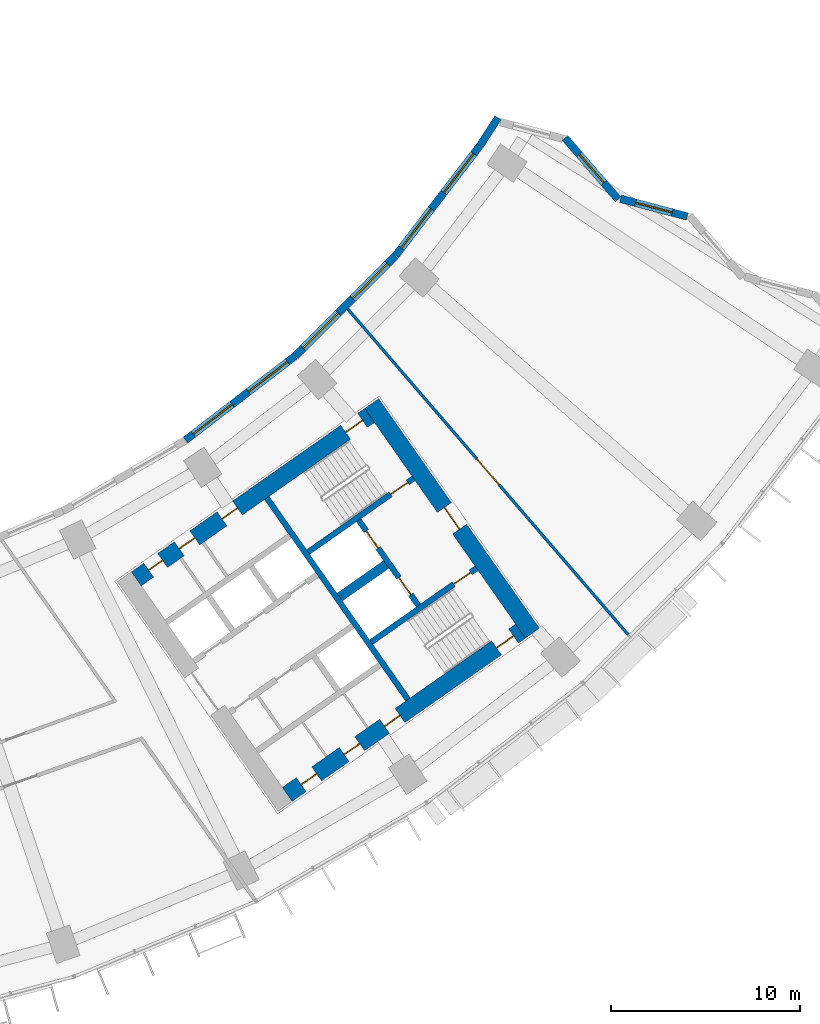
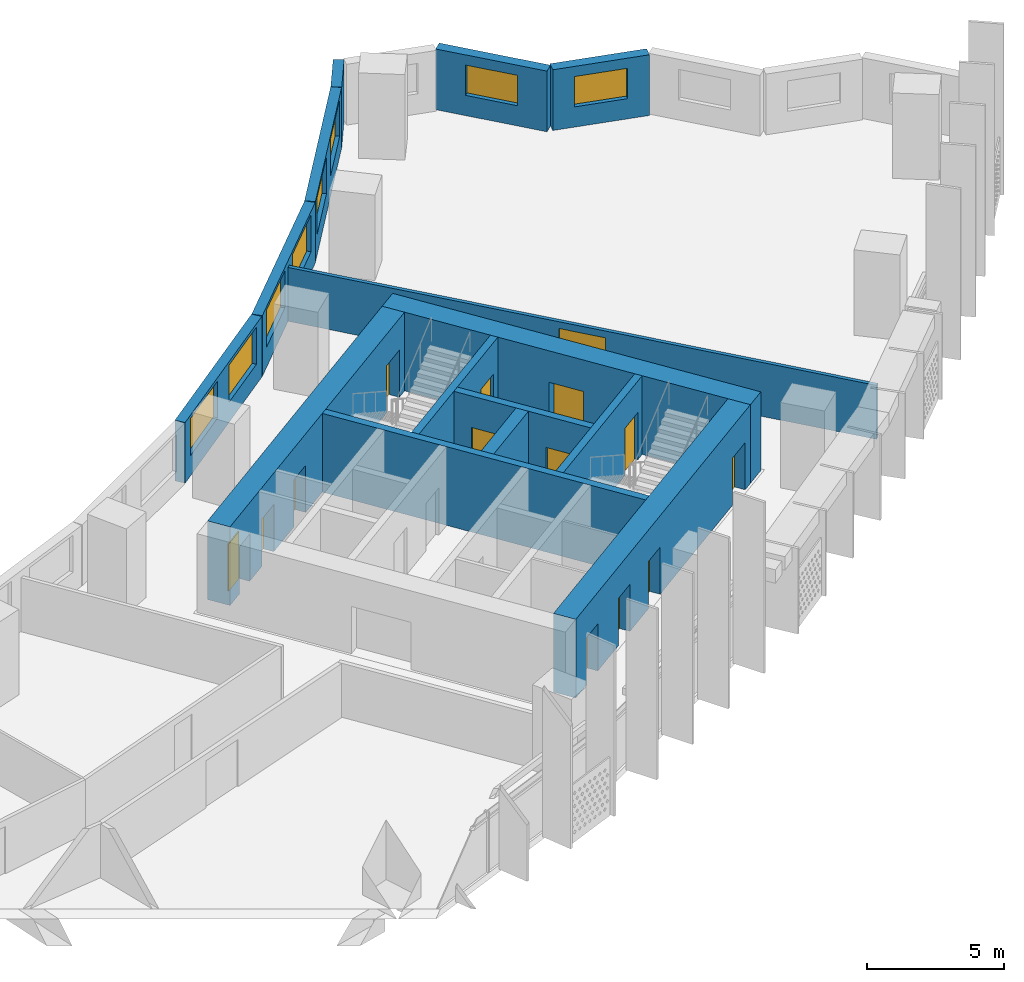
# One storey, part 7 of 31: 15 walls, 14 doors, 8 windows, 22 openings.
"""IFC4 building model written with IfcOpenShell, lengths in metres."""

from ifc_helpers import new_model, si_unit, direction, frame, frame_2d, origin, place, context, subcontext, project, spatial, rectangle, extrude, material, layer, layer_set, type_object, element, fill, save


model = new_model("IFC4")

# Units and contexts
model_context = context("Model", 3, precision=1e-05, world=origin(), true_north=direction((0.0, 1.0)))
body_context = subcontext(model_context, "Body", "Model", "MODEL_VIEW")
ifc_project = project(units=[si_unit("LENGTHUNIT", "METRE"), si_unit("AREAUNIT", "SQUARE_METRE"), si_unit("VOLUMEUNIT", "CUBIC_METRE"), si_unit("PLANEANGLEUNIT", "RADIAN"), si_unit("MASSUNIT", "GRAM", prefix="KILO")], contexts=[model_context])

# Site, building, storey
site_placement = place(None, origin())
site = spatial("IfcSite", under=ifc_project, at=site_placement, CompositionType="ELEMENT")
building_placement = place(site_placement, origin())
building = spatial("IfcBuilding", under=site, at=building_placement, Name="Qamariyya Broadcast Tower", CompositionType="ELEMENT")
storey_placement = place(building_placement, frame((0.0, 0.0, 55.699951171875)))
storey = spatial("IfcBuildingStorey", under=building, at=storey_placement, Name="L10", CompositionType="ELEMENT", Elevation=55.699951171875)

# Wall, opening, door
ifc_material_1 = material(Name="Concrete C70/85", Category="concrete")
ifc_layer_1 = layer(ifc_material_1, 0.89990234375)
ifc_layer_set_1 = layer_set([ifc_layer_1], Name="Core wall 900 mm Concrete C70/85")
wall_type_1 = type_object("IfcWallType", Name="Core wall 900 mm Concrete C70/85", PredefinedType="SHEAR", material=ifc_layer_set_1)
wall_1_placement = place(storey_placement, frame((49.778564453125, -57.191162109375, 0.0), z_axis=(0.0, 0.0, 1.0), x_axis=(-0.573577477574, 0.819151315216, 0.0)))
wall_1 = element("IfcWall", 1, at=wall_1_placement, inside=storey, type_object=wall_type_1, Name="k-E-L10-WH", PredefinedType="SHEAR", context=body_context, shape_type="SweptSolid", body=[
    extrude(rectangle(XDim=14.800048828125, YDim=0.89990234375, at=frame_2d((7.39990234375, 0.0))), origin(), (0.0, 0.0, 1.0), 3.5),
])
opening_1_placement = place(wall_1_placement, frame((6.699951171875, 0.0, 0.0)))
opening_1 = element("IfcOpeningElement", 2, at=opening_1_placement, cuts=wall_1, Name="Opening KD2-E1", PredefinedType="OPENING", context=body_context, shape_type="SweptSolid", body=[
    extrude(rectangle(XDim=1.39990234375, YDim=2.10009765625, at=frame_2d((0.699951171875, 1.050048828125))), frame((0.0, 0.4599609375, 0.0), z_axis=(0.0, -1.0, 0.0), x_axis=(1.0, 0.0, 0.0)), (0.0, 0.0, 1.0), 0.919921875),
])
ifc_material_2 = material(Name="Steel fire-resisting door leaf", Category="steel")
door_type_1 = type_object("IfcDoorType", Name="Fire-fighting lobby door KD2", OperationType="DOUBLE_DOOR_SINGLE_SWING", PredefinedType="DOOR", material=ifc_material_2)
door_1_placement = place(opening_1_placement, origin())
door_1 = element("IfcDoor", 3, at=door_1_placement, inside=storey, type_object=door_type_1, Name="k-E-L10-WH-D15", OperationType="DOUBLE_DOOR_SINGLE_SWING", OverallHeight=2.10009765625, OverallWidth=1.39990234375, PredefinedType="DOOR", context=body_context, shape_type="SweptSolid", body=[
    extrude(rectangle(XDim=1.39990234375, YDim=2.10009765625, at=frame_2d((0.699951171875, 1.050048828125))), frame((0.0, 0.02490234375, 0.0), z_axis=(0.0, -1.0, 0.0), x_axis=(1.0, 0.0, 0.0)), (0.0, 0.0, 1.0), 0.050048828125),
])
fill(opening_1, door_1)

# Wall, openings, doors
wall_2_placement = place(storey_placement, frame((28.8544921875, -54.32421875, 0.0), z_axis=(0.0, 0.0, 1.0), x_axis=(0.819145767589, 0.573585400304, 0.0)))
wall_2 = element("IfcWall", 4, at=wall_2_placement, inside=storey, type_object=wall_type_1, Name="k-E-L10-WI", PredefinedType="SHEAR", context=body_context, shape_type="SweptSolid", body=[
    extrude(rectangle(XDim=15.04541015625, YDim=0.89990234375, at=frame_2d((7.522705078125, 0.0))), origin(), (0.0, 0.0, 1.0), 3.5),
])
opening_2_placement = place(wall_2_placement, frame((0.800048828125, 0.0, 0.0)))
opening_2 = element("IfcOpeningElement", 5, at=opening_2_placement, cuts=wall_2, Name="Opening KD5-E1", PredefinedType="OPENING", context=body_context, shape_type="SweptSolid", body=[
    extrude(rectangle(XDim=0.89990234375, YDim=2.10009765625, at=frame_2d((0.449951171875, 1.050048828125))), frame((0.0, 0.4599609375, 0.0), z_axis=(0.0, -1.0, 0.0), x_axis=(1.0, 0.0, 0.0)), (0.0, 0.0, 1.0), 0.919921875),
])
opening_3_placement = place(wall_2_placement, frame((2.77490234375, 0.0, 0.0)))
opening_3 = element("IfcOpeningElement", 6, at=opening_3_placement, cuts=wall_2, Name="Opening KD7-E1", PredefinedType="OPENING", context=body_context, shape_type="SweptSolid", body=[
    extrude(rectangle(XDim=1.0, YDim=2.10009765625, at=frame_2d((0.5, 1.050048828125))), frame((0.0, 0.4599609375, 0.0), z_axis=(0.0, -1.0, 0.0), x_axis=(1.0, 0.0, 0.0)), (0.0, 0.0, 1.0), 0.919921875),
])
opening_4_placement = place(wall_2_placement, frame((5.52490234375, 0.0, 0.0)))
opening_4 = element("IfcOpeningElement", 7, at=opening_4_placement, cuts=wall_2, Name="Opening KD6-E2", PredefinedType="OPENING", context=body_context, shape_type="SweptSolid", body=[
    extrude(rectangle(XDim=1.0, YDim=2.10009765625, at=frame_2d((0.5, 1.050048828125))), frame((0.0, 0.4599609375, 0.0), z_axis=(0.0, -1.0, 0.0), x_axis=(1.0, 0.0, 0.0)), (0.0, 0.0, 1.0), 0.919921875),
])
opening_5_placement = place(wall_2_placement, frame((13.495361328125, 0.0, 0.0)))
opening_5 = element("IfcOpeningElement", 8, at=opening_5_placement, cuts=wall_2, Name="Opening KD1-E1", PredefinedType="OPENING", context=body_context, shape_type="SweptSolid", body=[
    extrude(rectangle(XDim=1.10009765625, YDim=2.10009765625, at=frame_2d((0.550048828125, 1.050048828125))), frame((0.0, 0.4599609375, 0.0), z_axis=(0.0, -1.0, 0.0), x_axis=(1.0, 0.0, 0.0)), (0.0, 0.0, 1.0), 0.919921875),
])
door_type_2 = type_object("IfcDoorType", Name="Accessible toilet door KD7", OperationType="SINGLE_SWING_LEFT", PredefinedType="DOOR", material=ifc_material_2)
door_2_placement = place(opening_3_placement, origin())
door_2 = element("IfcDoor", 9, at=door_2_placement, inside=storey, type_object=door_type_2, Name="k-E-L10-WI-D8", OperationType="SINGLE_SWING_RIGHT", OverallHeight=2.10009765625, OverallWidth=1.0, PredefinedType="DOOR", context=body_context, shape_type="SweptSolid", body=[
    extrude(rectangle(XDim=1.0, YDim=2.10009765625, at=frame_2d((0.5, 1.050048828125))), frame((0.0, 0.02490234375, 0.0), z_axis=(0.0, -1.0, 0.0), x_axis=(1.0, 0.0, 0.0)), (0.0, 0.0, 1.0), 0.050048828125),
])
fill(opening_3, door_2)
door_type_3 = type_object("IfcDoorType", Name="Core room door KD6", OperationType="SINGLE_SWING_LEFT", PredefinedType="DOOR", material=ifc_material_2)
door_3_placement = place(opening_4_placement, origin())
door_3 = element("IfcDoor", 10, at=door_3_placement, inside=storey, type_object=door_type_3, Name="k-E-L10-WI-D9", OperationType="SINGLE_SWING_LEFT", OverallHeight=2.10009765625, OverallWidth=1.0, PredefinedType="DOOR", context=body_context, shape_type="SweptSolid", body=[
    extrude(rectangle(XDim=1.0, YDim=2.10009765625, at=frame_2d((0.5, 1.050048828125))), frame((0.0, 0.02490234375, 0.0), z_axis=(0.0, -1.0, 0.0), x_axis=(1.0, 0.0, 0.0)), (0.0, 0.0, 1.0), 0.050048828125),
])
fill(opening_4, door_3)
door_type_4 = type_object("IfcDoorType", Name="Stair door KD1", OperationType="SINGLE_SWING_LEFT", PredefinedType="DOOR", material=ifc_material_2)
door_4_placement = place(opening_5_placement, origin())
door_4 = element("IfcDoor", 11, at=door_4_placement, inside=storey, type_object=door_type_4, Name="k-E-L10-WI-D16", OperationType="SINGLE_SWING_RIGHT", OverallHeight=2.10009765625, OverallWidth=1.10009765625, PredefinedType="DOOR", context=body_context, shape_type="SweptSolid", body=[
    extrude(rectangle(XDim=1.10009765625, YDim=2.10009765625, at=frame_2d((0.550048828125, 1.050048828125))), frame((0.0, 0.02490234375, 0.0), z_axis=(0.0, -1.0, 0.0), x_axis=(1.0, 0.0, 0.0)), (0.0, 0.0, 1.0), 0.050048828125),
])
fill(opening_5, door_4)
door_type_5 = type_object("IfcDoorType", Name="Toilet door KD5", OperationType="SINGLE_SWING_LEFT", PredefinedType="DOOR", material=ifc_material_2)
door_5_placement = place(opening_2_placement, origin())
door_5 = element("IfcDoor", 12, at=door_5_placement, inside=storey, type_object=door_type_5, Name="k-E-L10-WI-D7", OperationType="SINGLE_SWING_LEFT", OverallHeight=2.10009765625, OverallWidth=0.89990234375, PredefinedType="DOOR", context=body_context, shape_type="SweptSolid", body=[
    extrude(rectangle(XDim=0.89990234375, YDim=2.10009765625, at=frame_2d((0.449951171875, 1.050048828125))), frame((0.0, 0.02490234375, 0.0), z_axis=(0.0, -1.0, 0.0), x_axis=(1.0, 0.0, 0.0)), (0.0, 0.0, 1.0), 0.050048828125),
])
fill(opening_2, door_5)

wall_3_placement = place(storey_placement, frame((36.827392578125, -65.710205078125, 0.0), z_axis=(0.0, 0.0, 1.0), x_axis=(0.819153391756, 0.573574511963, 0.0)))
wall_3 = element("IfcWall", 13, at=wall_3_placement, inside=storey, type_object=wall_type_1, Name="k-E-L10-WO", PredefinedType="SHEAR", context=body_context, shape_type="SweptSolid", body=[
    extrude(rectangle(XDim=15.04541015625, YDim=0.89990234375, at=frame_2d((7.522705078125, 0.0))), origin(), (0.0, 0.0, 1.0), 3.5),
])
opening_6_placement = place(wall_3_placement, frame((0.89990234375, 0.0, 0.0)))
opening_6 = element("IfcOpeningElement", 14, at=opening_6_placement, cuts=wall_3, Name="Opening KD4-E2", PredefinedType="OPENING", context=body_context, shape_type="SweptSolid", body=[
    extrude(rectangle(XDim=1.0, YDim=2.10009765625, at=frame_2d((0.5, 1.050048828125))), frame((0.0, 0.4599609375, 0.0), z_axis=(0.0, -1.0, 0.0), x_axis=(1.0, 0.0, 0.0)), (0.0, 0.0, 1.0), 0.919921875),
])
opening_7_placement = place(wall_3_placement, frame((3.675048828125, 0.0, 0.0)))
opening_7 = element("IfcOpeningElement", 15, at=opening_7_placement, cuts=wall_3, Name="Opening KD4-E3", PredefinedType="OPENING", context=body_context, shape_type="SweptSolid", body=[
    extrude(rectangle(XDim=1.0, YDim=2.10009765625, at=frame_2d((0.5, 1.050048828125))), frame((0.0, 0.4599609375, 0.0), z_axis=(0.0, -1.0, 0.0), x_axis=(1.0, 0.0, 0.0)), (0.0, 0.0, 1.0), 0.919921875),
])
opening_8_placement = place(wall_3_placement, frame((6.27490234375, 0.0, 0.0)))
opening_8 = element("IfcOpeningElement", 16, at=opening_8_placement, cuts=wall_3, Name="Opening KD4-E4", PredefinedType="OPENING", context=body_context, shape_type="SweptSolid", body=[
    extrude(rectangle(XDim=1.0, YDim=2.10009765625, at=frame_2d((0.5, 1.050048828125))), frame((0.0, 0.4599609375, 0.0), z_axis=(0.0, -1.0, 0.0), x_axis=(1.0, 0.0, 0.0)), (0.0, 0.0, 1.0), 0.919921875),
])
opening_9_placement = place(wall_3_placement, frame((13.495361328125, 0.0, 0.0)))
opening_9 = element("IfcOpeningElement", 17, at=opening_9_placement, cuts=wall_3, Name="Opening KD1-E3", PredefinedType="OPENING", context=body_context, shape_type="SweptSolid", body=[
    extrude(rectangle(XDim=1.10009765625, YDim=2.10009765625, at=frame_2d((0.550048828125, 1.050048828125))), frame((0.0, 0.4599609375, 0.0), z_axis=(0.0, -1.0, 0.0), x_axis=(1.0, 0.0, 0.0)), (0.0, 0.0, 1.0), 0.919921875),
])
door_type_6 = type_object("IfcDoorType", Name="Riser and plant door KD4", OperationType="SINGLE_SWING_LEFT", PredefinedType="DOOR", material=ifc_material_2)
door_6_placement = place(opening_6_placement, origin())
door_6 = element("IfcDoor", 18, at=door_6_placement, inside=storey, type_object=door_type_6, Name="k-E-L10-WO-D10", OperationType="SINGLE_SWING_RIGHT", OverallHeight=2.10009765625, OverallWidth=1.0, PredefinedType="DOOR", context=body_context, shape_type="SweptSolid", body=[
    extrude(rectangle(XDim=1.0, YDim=2.10009765625, at=frame_2d((0.5, 1.050048828125))), frame((0.0, 0.02490234375, 0.0), z_axis=(0.0, -1.0, 0.0), x_axis=(1.0, 0.0, 0.0)), (0.0, 0.0, 1.0), 0.050048828125),
])
fill(opening_6, door_6)
door_7_placement = place(opening_7_placement, origin())
door_7 = element("IfcDoor", 19, at=door_7_placement, inside=storey, type_object=door_type_6, Name="k-E-L10-WO-D11", OperationType="SINGLE_SWING_LEFT", OverallHeight=2.10009765625, OverallWidth=1.0, PredefinedType="DOOR", context=body_context, shape_type="SweptSolid", body=[
    extrude(rectangle(XDim=1.0, YDim=2.10009765625, at=frame_2d((0.5, 1.050048828125))), frame((0.0, 0.02490234375, 0.0), z_axis=(0.0, -1.0, 0.0), x_axis=(1.0, 0.0, 0.0)), (0.0, 0.0, 1.0), 0.050048828125),
])
fill(opening_7, door_7)
door_8_placement = place(opening_8_placement, origin())
door_8 = element("IfcDoor", 20, at=door_8_placement, inside=storey, type_object=door_type_6, Name="k-E-L10-WO-D12", OperationType="SINGLE_SWING_RIGHT", OverallHeight=2.10009765625, OverallWidth=1.0, PredefinedType="DOOR", context=body_context, shape_type="SweptSolid", body=[
    extrude(rectangle(XDim=1.0, YDim=2.10009765625, at=frame_2d((0.5, 1.050048828125))), frame((0.0, 0.02490234375, 0.0), z_axis=(0.0, -1.0, 0.0), x_axis=(1.0, 0.0, 0.0)), (0.0, 0.0, 1.0), 0.050048828125),
])
fill(opening_8, door_8)
door_9_placement = place(opening_9_placement, origin())
door_9 = element("IfcDoor", 21, at=door_9_placement, inside=storey, type_object=door_type_4, Name="k-E-L10-WO-D18", OperationType="SINGLE_SWING_LEFT", OverallHeight=2.10009765625, OverallWidth=1.10009765625, PredefinedType="DOOR", context=body_context, shape_type="SweptSolid", body=[
    extrude(rectangle(XDim=1.10009765625, YDim=2.10009765625, at=frame_2d((0.550048828125, 1.050048828125))), frame((0.0, 0.02490234375, 0.0), z_axis=(0.0, -1.0, 0.0), x_axis=(1.0, 0.0, 0.0)), (0.0, 0.0, 1.0), 0.050048828125),
])
fill(opening_9, door_9)

# Wall, opening, door
ifc_material_3 = material(Name="Gypsum board partition")
ifc_layer_2 = layer(ifc_material_3, 0.14990234375)
ifc_layer_set_2 = layer_set([ifc_layer_2], Name="Corridor partition 150 EI 60")
wall_type_2 = type_object("IfcWallType", Name="Corridor partition 150 EI 60", PredefinedType="PARTITIONING", material=ifc_layer_set_2)
wall_4_placement = place(storey_placement, frame((40.021240234375, -40.063232421875, 0.0), z_axis=(0.0, 0.0, 1.0), x_axis=(0.652471531746, -0.757813235739, 0.0)))
wall_4 = element("IfcWall", 22, at=wall_4_placement, inside=storey, type_object=wall_type_2, Name="Partition L10-027", PredefinedType="PARTITIONING", context=body_context, shape_type="SweptSolid", body=[
    extrude(rectangle(XDim=22.71484375, YDim=0.14990234375, at=frame_2d((11.357421875, 0.0))), origin(), (0.0, 0.0, 1.0), 2.400146484375),
])
opening_10_placement = place(wall_4_placement, frame((10.45751953125, 0.0, 0.0)))
opening_10 = element("IfcOpeningElement", 23, at=opening_10_placement, cuts=wall_4, Name="Opening L10-D13", PredefinedType="OPENING", context=body_context, shape_type="SweptSolid", body=[
    extrude(rectangle(XDim=1.800048828125, YDim=2.10009765625, at=frame_2d((0.89990234375, 1.050048828125))), frame((0.0, 0.0849609375, 0.0), z_axis=(0.0, -1.0, 0.0), x_axis=(1.0, 0.0, 0.0)), (0.0, 0.0, 1.0), 0.169921875),
])
ifc_material_4 = material(Name="Timber fire door leaf", Category="wood")
door_type_7 = type_object("IfcDoorType", Name="Double fire door 1800 x 2100 FD60", OperationType="NOTDEFINED", PredefinedType="DOOR", material=ifc_material_4)
door_10_placement = place(opening_10_placement, origin())
door_10 = element("IfcDoor", 24, at=door_10_placement, inside=storey, type_object=door_type_7, Name="Door L10-D13", OperationType="DOUBLE_DOOR_SINGLE_SWING", OverallHeight=2.10009765625, OverallWidth=1.800048828125, PredefinedType="DOOR", context=body_context, shape_type="SweptSolid", body=[
    extrude(rectangle(XDim=1.800048828125, YDim=2.10009765625, at=frame_2d((0.89990234375, 1.050048828125))), frame((0.0, 0.02490234375, 0.0), z_axis=(0.0, -1.0, 0.0), x_axis=(1.0, 0.0, 0.0)), (0.0, 0.0, 1.0), 0.050048828125),
])
fill(opening_10, door_10)

# Walls
ifc_material_5 = material(Name="Concrete C60/75", Category="concrete")
ifc_layer_3 = layer(ifc_material_5, 0.5)
ifc_layer_set_3 = layer_set([ifc_layer_3], Name="Fire-fighting lobby divider wall 500 mm Concrete C60/75")
wall_type_3 = type_object("IfcWallType", Name="Fire-fighting lobby divider wall 500 mm Concrete C60/75", PredefinedType="SOLIDWALL", material=ifc_layer_set_3)
wall_5_placement = place(storey_placement, frame((39.59912109375, -55.28515625, 0.0), z_axis=(0.0, 0.0, 1.0), x_axis=(0.819136323161, 0.573598887793, 0.0)))
element("IfcWall", 25, at=wall_5_placement, inside=storey, type_object=wall_type_3, Name="k-E-L10-FD", PredefinedType="SOLIDWALL", context=body_context, shape_type="SweptSolid", body=[
    extrude(rectangle(XDim=2.999755859375, YDim=0.5, at=frame_2d((1.5, 0.0))), origin(), (0.0, 0.0, 1.0), 3.5),
])
ifc_layer_4 = layer(ifc_material_5, 0.300048828125)
ifc_layer_set_4 = layer_set([ifc_layer_4], Name="Lift shaft wall 300 mm Concrete C60/75")
wall_type_4 = type_object("IfcWallType", Name="Lift shaft wall 300 mm Concrete C60/75", PredefinedType="SOLIDWALL", material=ifc_layer_set_4)
wall_6_placement = place(storey_placement, frame((43.204345703125, -60.69580078125, 0.0), z_axis=(0.0, 0.0, 1.0), x_axis=(-0.573571992966, 0.819155155563, 0.0)))
element("IfcWall", 26, at=wall_6_placement, inside=storey, type_object=wall_type_4, Name="k-E-L10-WL", PredefinedType="SOLIDWALL", context=body_context, shape_type="SweptSolid", body=[
    extrude(rectangle(XDim=13.000244140625, YDim=0.300048828125, at=frame_2d((6.5, 0.0))), origin(), (0.0, 0.0, 1.0), 3.5),
])

# Wall, opening, door
wall_7_placement = place(storey_placement, frame((37.935546875, -52.90966796875, 0.0), z_axis=(0.0, 0.0, 1.0), x_axis=(0.819147518138, 0.57358290031, 0.0)))
wall_7 = element("IfcWall", 27, at=wall_7_placement, inside=storey, type_object=wall_type_4, Name="k-E-L10-NW", PredefinedType="SOLIDWALL", context=body_context, shape_type="SweptSolid", body=[
    extrude(rectangle(XDim=6.79541015625, YDim=0.300048828125, at=frame_2d((3.397705078125, 0.0))), origin(), (0.0, 0.0, 1.0), 3.5),
])
opening_11_placement = place(wall_7_placement, frame((5.3203125, 0.0, 0.0)))
opening_11 = element("IfcOpeningElement", 28, at=opening_11_placement, cuts=wall_7, Name="Opening KD1-E2", PredefinedType="OPENING", context=body_context, shape_type="SweptSolid", body=[
    extrude(rectangle(XDim=1.10009765625, YDim=2.10009765625, at=frame_2d((0.550048828125, 1.050048828125))), frame((0.0, 0.159912109375, 0.0), z_axis=(0.0, -1.0, 0.0), x_axis=(1.0, 0.0, 0.0)), (0.0, 0.0, 1.0), 0.320068359375),
])
door_11_placement = place(opening_11_placement, origin())
door_11 = element("IfcDoor", 29, at=door_11_placement, inside=storey, type_object=door_type_4, Name="k-E-L10-NW-D17", OperationType="SINGLE_SWING_LEFT", OverallHeight=2.10009765625, OverallWidth=1.10009765625, PredefinedType="DOOR", context=body_context, shape_type="SweptSolid", body=[
    extrude(rectangle(XDim=1.10009765625, YDim=2.10009765625, at=frame_2d((0.550048828125, 1.050048828125))), frame((0.0, 0.02490234375, 0.0), z_axis=(0.0, -1.0, 0.0), x_axis=(1.0, 0.0, 0.0)), (0.0, 0.0, 1.0), 0.050048828125),
])
fill(opening_11, door_11)

wall_8_placement = place(storey_placement, frame((41.262451171875, -57.66064453125, 0.0), z_axis=(0.0, 0.0, 1.0), x_axis=(0.819164398642, 0.573558792102, 0.0)))
wall_8 = element("IfcWall", 30, at=wall_8_placement, inside=storey, type_object=wall_type_4, Name="k-E-L10-SW", PredefinedType="SOLIDWALL", context=body_context, shape_type="SweptSolid", body=[
    extrude(rectangle(XDim=6.795166015625, YDim=0.300048828125, at=frame_2d((3.3974609375, 0.0))), origin(), (0.0, 0.0, 1.0), 3.5),
])
opening_12_placement = place(wall_8_placement, frame((5.3203125, 0.0, 0.0)))
opening_12 = element("IfcOpeningElement", 31, at=opening_12_placement, cuts=wall_8, Name="Opening KD1-E4", PredefinedType="OPENING", context=body_context, shape_type="SweptSolid", body=[
    extrude(rectangle(XDim=1.10009765625, YDim=2.10009765625, at=frame_2d((0.550048828125, 1.050048828125))), frame((0.0, 0.159912109375, 0.0), z_axis=(0.0, -1.0, 0.0), x_axis=(1.0, 0.0, 0.0)), (0.0, 0.0, 1.0), 0.320068359375),
])
door_12_placement = place(opening_12_placement, origin())
door_12 = element("IfcDoor", 32, at=door_12_placement, inside=storey, type_object=door_type_4, Name="k-E-L10-SW-D19", OperationType="SINGLE_SWING_LEFT", OverallHeight=2.10009765625, OverallWidth=1.10009765625, PredefinedType="DOOR", context=body_context, shape_type="SweptSolid", body=[
    extrude(rectangle(XDim=1.10009765625, YDim=2.10009765625, at=frame_2d((0.550048828125, 1.050048828125))), frame((0.0, 0.02490234375, 0.0), z_axis=(0.0, -1.0, 0.0), x_axis=(1.0, 0.0, 0.0)), (0.0, 0.0, 1.0), 0.050048828125),
])
fill(opening_12, door_12)

# Wall, openings, doors
wall_9_placement = place(storey_placement, frame((43.756591796875, -55.731201171875, 0.0), z_axis=(0.0, 0.0, 1.0), x_axis=(-0.573536818435, 0.819179783625, 0.0)))
wall_9 = element("IfcWall", 33, at=wall_9_placement, inside=storey, type_object=wall_type_4, Name="k-E-L10-FF", PredefinedType="SOLIDWALL", context=body_context, shape_type="SweptSolid", body=[
    extrude(rectangle(XDim=5.500244140625, YDim=0.300048828125, at=frame_2d((2.75, 0.0))), origin(), (0.0, 0.0, 1.0), 3.5),
])
opening_13_placement = place(wall_9_placement, frame((0.699951171875, 0.0, 0.0)))
opening_13 = element("IfcOpeningElement", 34, at=opening_13_placement, cuts=wall_9, Name="Opening LD", PredefinedType="OPENING", context=body_context, shape_type="SweptSolid", body=[
    extrude(rectangle(XDim=1.10009765625, YDim=2.10009765625, at=frame_2d((0.550048828125, 1.050048828125))), frame((0.0, 0.159912109375, 0.0), z_axis=(0.0, -1.0, 0.0), x_axis=(1.0, 0.0, 0.0)), (0.0, 0.0, 1.0), 0.320068359375),
])
opening_14_placement = place(wall_9_placement, frame((3.699951171875, 0.0, 0.0)))
opening_14 = element("IfcOpeningElement", 35, at=opening_14_placement, cuts=wall_9, Name="Opening LD", PredefinedType="OPENING", context=body_context, shape_type="SweptSolid", body=[
    extrude(rectangle(XDim=1.10009765625, YDim=2.10009765625, at=frame_2d((0.550048828125, 1.050048828125))), frame((0.0, 0.159912109375, 0.0), z_axis=(0.0, -1.0, 0.0), x_axis=(1.0, 0.0, 0.0)), (0.0, 0.0, 1.0), 0.320068359375),
])
door_type_8 = type_object("IfcDoorType", Name="Lift landing door LD", OperationType="DOUBLE_DOOR_SLIDING", PredefinedType="DOOR", material=ifc_material_2)
door_13_placement = place(opening_13_placement, origin())
door_13 = element("IfcDoor", 36, at=door_13_placement, inside=storey, type_object=door_type_8, Name="k-E-L10-FF-D13", OperationType="DOUBLE_DOOR_SLIDING", OverallHeight=2.10009765625, OverallWidth=1.10009765625, PredefinedType="DOOR", context=body_context, shape_type="SweptSolid", body=[
    extrude(rectangle(XDim=1.10009765625, YDim=2.10009765625, at=frame_2d((0.550048828125, 1.050048828125))), frame((0.0, 0.02490234375, 0.0), z_axis=(0.0, -1.0, 0.0), x_axis=(1.0, 0.0, 0.0)), (0.0, 0.0, 1.0), 0.050048828125),
])
fill(opening_13, door_13)
door_14_placement = place(opening_14_placement, origin())
door_14 = element("IfcDoor", 37, at=door_14_placement, inside=storey, type_object=door_type_8, Name="k-E-L10-FF-D14", OperationType="DOUBLE_DOOR_SLIDING", OverallHeight=2.10009765625, OverallWidth=1.10009765625, PredefinedType="DOOR", context=body_context, shape_type="SweptSolid", body=[
    extrude(rectangle(XDim=1.10009765625, YDim=2.10009765625, at=frame_2d((0.550048828125, 1.050048828125))), frame((0.0, 0.02490234375, 0.0), z_axis=(0.0, -1.0, 0.0), x_axis=(1.0, 0.0, 0.0)), (0.0, 0.0, 1.0), 0.050048828125),
])
fill(opening_14, door_14)

# Wall, opening, window
ifc_material_6 = material(Name="Terracotta", Category="masonry")
ifc_layer_5 = layer(ifc_material_6, 0.39990234375)
ifc_layer_set_5 = layer_set([ifc_layer_5], Name="Terracotta clad wall 400")
wall_type_5 = type_object("IfcWallType", Name="Terracotta clad wall 400", PredefinedType="SOLIDWALL", material=ifc_layer_set_5)
wall_10_placement = place(storey_placement, frame((57.95947265625, -35.181884765625, 0.0), z_axis=(0.0, 0.0, 1.0), x_axis=(-0.96669110423, 0.255945910308, 0.0)))
wall_10 = element("IfcWall", 38, at=wall_10_placement, inside=storey, type_object=wall_type_5, Name="e-wl-L10-capE3", PredefinedType="SOLIDWALL", context=body_context, shape_type="SweptSolid", body=[
    extrude(rectangle(XDim=3.647705078125, YDim=0.39990234375, at=frame_2d((1.82373046875, 0.0))), origin(), (0.0, 0.0, 1.0), 2.699951171875),
])
opening_15_placement = place(wall_10_placement, frame((0.82373046875, 0.0, 0.89990234375)))
opening_15 = element("IfcOpeningElement", 39, at=opening_15_placement, cuts=wall_10, Name="Opening W4", PredefinedType="OPENING", context=body_context, shape_type="SweptSolid", body=[
    extrude(rectangle(XDim=2.0, YDim=1.35009765625, at=frame_2d((1.0, 0.675048828125))), frame((0.0, 0.2099609375, 0.0), z_axis=(0.0, -1.0, 0.0), x_axis=(1.0, 0.0, 0.0)), (0.0, 0.0, 1.0), 0.419921875),
])
ifc_material_7 = material(Name="Clear low-e double glazed unit in aluminium frame", Category="aluminium")
window_type_1 = type_object("IfcWindowType", Name="Horn bay window 2000 x 1350", PartitioningType="SINGLE_PANEL", PredefinedType="WINDOW", material=ifc_material_7)
window_1_placement = place(opening_15_placement, origin())
window_1 = element("IfcWindow", 40, at=window_1_placement, inside=storey, type_object=window_type_1, Name="e-w-L10-capE3", OverallHeight=1.35009765625, OverallWidth=2.0, PartitioningType="SINGLE_PANEL", PredefinedType="WINDOW", context=body_context, shape_type="SweptSolid", body=[
    extrude(rectangle(XDim=2.0, YDim=1.35009765625, at=frame_2d((1.0, 0.675048828125))), frame((0.0, 0.030029296875, 0.0), z_axis=(0.0, -1.0, 0.0), x_axis=(1.0, 0.0, 0.0)), (0.0, 0.0, 1.0), 0.06005859375),
])
fill(opening_15, window_1)

wall_11_placement = place(storey_placement, frame((54.30859375, -34.279541015625, 0.0), z_axis=(0.0, 0.0, 1.0), x_axis=(-0.653861023327, 0.75661467219, 0.0)))
wall_11 = element("IfcWall", 41, at=wall_11_placement, inside=storey, type_object=wall_type_5, Name="e-wl-L10-capE4", PredefinedType="SOLIDWALL", context=body_context, shape_type="SweptSolid", body=[
    extrude(rectangle(XDim=4.295654296875, YDim=0.39990234375, at=frame_2d((2.14794921875, 0.0))), origin(), (0.0, 0.0, 1.0), 2.699951171875),
])
opening_16_placement = place(wall_11_placement, frame((1.14794921875, 0.0, 0.89990234375)))
opening_16 = element("IfcOpeningElement", 42, at=opening_16_placement, cuts=wall_11, Name="Opening W4", PredefinedType="OPENING", context=body_context, shape_type="SweptSolid", body=[
    extrude(rectangle(XDim=2.0, YDim=1.35009765625, at=frame_2d((1.0, 0.675048828125))), frame((0.0, 0.2099609375, 0.0), z_axis=(0.0, -1.0, 0.0), x_axis=(1.0, 0.0, 0.0)), (0.0, 0.0, 1.0), 0.419921875),
])
window_2_placement = place(opening_16_placement, origin())
window_2 = element("IfcWindow", 43, at=window_2_placement, inside=storey, type_object=window_type_1, Name="e-w-L10-capE4", OverallHeight=1.35009765625, OverallWidth=2.0, PartitioningType="SINGLE_PANEL", PredefinedType="WINDOW", context=body_context, shape_type="SweptSolid", body=[
    extrude(rectangle(XDim=2.0, YDim=1.35009765625, at=frame_2d((1.0, 0.675048828125))), frame((0.0, 0.030029296875, 0.0), z_axis=(0.0, -1.0, 0.0), x_axis=(1.0, 0.0, 0.0)), (0.0, 0.0, 1.0), 0.06005859375),
])
fill(opening_16, window_2)

# Wall, openings, windows
wall_12_placement = place(storey_placement, frame((37.24609375, -42.5478515625, 0.0), z_axis=(0.0, 0.0, 1.0), x_axis=(-0.79336607943, -0.60874482668, 0.0)))
wall_12 = element("IfcWall", 44, at=wall_12_placement, inside=storey, type_object=wall_type_5, Name="e-wl-L10-in130", PredefinedType="SOLIDWALL", context=body_context, shape_type="SweptSolid", body=[
    extrude(rectangle(XDim=7.295654296875, YDim=0.39990234375, at=frame_2d((3.64794921875, 0.0))), origin(), (0.0, 0.0, 1.0), 2.699951171875),
])
opening_17_placement = place(wall_12_placement, frame((4.190673828125, 0.0, 0.89990234375)))
opening_17 = element("IfcOpeningElement", 45, at=opening_17_placement, cuts=wall_12, Name="Opening W1", PredefinedType="OPENING", context=body_context, shape_type="SweptSolid", body=[
    extrude(rectangle(XDim=2.60009765625, YDim=1.64990234375, at=frame_2d((1.300048828125, 0.824951171875))), frame((0.0, 0.2099609375, 0.0), z_axis=(0.0, -1.0, 0.0), x_axis=(1.0, 0.0, 0.0)), (0.0, 0.0, 1.0), 0.419921875),
])
opening_18_placement = place(wall_12_placement, frame((0.505126953125, 0.0, 0.89990234375)))
opening_18 = element("IfcOpeningElement", 46, at=opening_18_placement, cuts=wall_12, Name="Opening W1", PredefinedType="OPENING", context=body_context, shape_type="SweptSolid", body=[
    extrude(rectangle(XDim=2.60009765625, YDim=1.64990234375, at=frame_2d((1.300048828125, 0.824951171875))), frame((0.0, 0.2099609375, 0.0), z_axis=(0.0, -1.0, 0.0), x_axis=(1.0, 0.0, 0.0)), (0.0, 0.0, 1.0), 0.419921875),
])
window_type_2 = type_object("IfcWindowType", Name="Ribbon window 2600 x 1650", PartitioningType="SINGLE_PANEL", PredefinedType="WINDOW", material=ifc_material_7)
window_3_placement = place(opening_17_placement, origin())
window_3 = element("IfcWindow", 47, at=window_3_placement, inside=storey, type_object=window_type_2, Name="e-w-L10-in13-0", OverallHeight=1.64990234375, OverallWidth=2.60009765625, PartitioningType="SINGLE_PANEL", PredefinedType="WINDOW", context=body_context, shape_type="SweptSolid", body=[
    extrude(rectangle(XDim=2.60009765625, YDim=1.64990234375, at=frame_2d((1.300048828125, 0.824951171875))), frame((0.0, 0.030029296875, 0.0), z_axis=(0.0, -1.0, 0.0), x_axis=(1.0, 0.0, 0.0)), (0.0, 0.0, 1.0), 0.06005859375),
])
fill(opening_17, window_3)
window_4_placement = place(opening_18_placement, origin())
window_4 = element("IfcWindow", 48, at=window_4_placement, inside=storey, type_object=window_type_2, Name="e-w-L10-in13-1", OverallHeight=1.64990234375, OverallWidth=2.60009765625, PartitioningType="SINGLE_PANEL", PredefinedType="WINDOW", context=body_context, shape_type="SweptSolid", body=[
    extrude(rectangle(XDim=2.60009765625, YDim=1.64990234375, at=frame_2d((1.300048828125, 0.824951171875))), frame((0.0, 0.030029296875, 0.0), z_axis=(0.0, -1.0, 0.0), x_axis=(1.0, 0.0, 0.0)), (0.0, 0.0, 1.0), 0.06005859375),
])
fill(opening_18, window_4)

wall_13_placement = place(storey_placement, frame((42.534423828125, -37.2685546875, 0.0), z_axis=(0.0, 0.0, 1.0), x_axis=(-0.707106781187, -0.707106781187, 0.0)))
wall_13 = element("IfcWall", 49, at=wall_13_placement, inside=storey, type_object=wall_type_5, Name="e-wl-L10-in140", PredefinedType="SOLIDWALL", context=body_context, shape_type="SweptSolid", body=[
    extrude(rectangle(XDim=7.447021484375, YDim=0.39990234375, at=frame_2d((3.7236328125, 0.0))), origin(), (0.0, 0.0, 1.0), 2.699951171875),
])
opening_19_placement = place(wall_13_placement, frame((4.266357421875, 0.0, 0.89990234375)))
opening_19 = element("IfcOpeningElement", 50, at=opening_19_placement, cuts=wall_13, Name="Opening W1", PredefinedType="OPENING", context=body_context, shape_type="SweptSolid", body=[
    extrude(rectangle(XDim=2.60009765625, YDim=1.64990234375, at=frame_2d((1.300048828125, 0.824951171875))), frame((0.0, 0.2099609375, 0.0), z_axis=(0.0, -1.0, 0.0), x_axis=(1.0, 0.0, 0.0)), (0.0, 0.0, 1.0), 0.419921875),
])
opening_20_placement = place(wall_13_placement, frame((0.580810546875, 0.0, 0.89990234375)))
opening_20 = element("IfcOpeningElement", 51, at=opening_20_placement, cuts=wall_13, Name="Opening W1", PredefinedType="OPENING", context=body_context, shape_type="SweptSolid", body=[
    extrude(rectangle(XDim=2.60009765625, YDim=1.64990234375, at=frame_2d((1.300048828125, 0.824951171875))), frame((0.0, 0.2099609375, 0.0), z_axis=(0.0, -1.0, 0.0), x_axis=(1.0, 0.0, 0.0)), (0.0, 0.0, 1.0), 0.419921875),
])
window_5_placement = place(opening_19_placement, origin())
window_5 = element("IfcWindow", 52, at=window_5_placement, inside=storey, type_object=window_type_2, Name="e-w-L10-in14-0", OverallHeight=1.64990234375, OverallWidth=2.60009765625, PartitioningType="SINGLE_PANEL", PredefinedType="WINDOW", context=body_context, shape_type="SweptSolid", body=[
    extrude(rectangle(XDim=2.60009765625, YDim=1.64990234375, at=frame_2d((1.300048828125, 0.824951171875))), frame((0.0, 0.030029296875, 0.0), z_axis=(0.0, -1.0, 0.0), x_axis=(1.0, 0.0, 0.0)), (0.0, 0.0, 1.0), 0.06005859375),
])
fill(opening_19, window_5)
window_6_placement = place(opening_20_placement, origin())
window_6 = element("IfcWindow", 53, at=window_6_placement, inside=storey, type_object=window_type_2, Name="e-w-L10-in14-1", OverallHeight=1.64990234375, OverallWidth=2.60009765625, PartitioningType="SINGLE_PANEL", PredefinedType="WINDOW", context=body_context, shape_type="SweptSolid", body=[
    extrude(rectangle(XDim=2.60009765625, YDim=1.64990234375, at=frame_2d((1.300048828125, 0.824951171875))), frame((0.0, 0.030029296875, 0.0), z_axis=(0.0, -1.0, 0.0), x_axis=(1.0, 0.0, 0.0)), (0.0, 0.0, 1.0), 0.06005859375),
])
fill(opening_20, window_6)

wall_14_placement = place(storey_placement, frame((46.998046875, -31.4462890625, 0.0), z_axis=(0.0, 0.0, 1.0), x_axis=(-0.608748398091, -0.793363339096, 0.0)))
wall_14 = element("IfcWall", 54, at=wall_14_placement, inside=storey, type_object=wall_type_5, Name="e-wl-L10-in150", PredefinedType="SOLIDWALL", context=body_context, shape_type="SweptSolid", body=[
    extrude(rectangle(XDim=7.310302734375, YDim=0.39990234375, at=frame_2d((3.6552734375, 0.0))), origin(), (0.0, 0.0, 1.0), 2.699951171875),
])
opening_21_placement = place(wall_14_placement, frame((4.205322265625, 0.0, 0.89990234375)))
opening_21 = element("IfcOpeningElement", 55, at=opening_21_placement, cuts=wall_14, Name="Opening W1", PredefinedType="OPENING", context=body_context, shape_type="SweptSolid", body=[
    extrude(rectangle(XDim=2.60009765625, YDim=1.64990234375, at=frame_2d((1.300048828125, 0.824951171875))), frame((0.0, 0.2099609375, 0.0), z_axis=(0.0, -1.0, 0.0), x_axis=(1.0, 0.0, 0.0)), (0.0, 0.0, 1.0), 0.419921875),
])
opening_22_placement = place(wall_14_placement, frame((0.519775390625, 0.0, 0.89990234375)))
opening_22 = element("IfcOpeningElement", 56, at=opening_22_placement, cuts=wall_14, Name="Opening W1", PredefinedType="OPENING", context=body_context, shape_type="SweptSolid", body=[
    extrude(rectangle(XDim=2.60009765625, YDim=1.64990234375, at=frame_2d((1.300048828125, 0.824951171875))), frame((0.0, 0.2099609375, 0.0), z_axis=(0.0, -1.0, 0.0), x_axis=(1.0, 0.0, 0.0)), (0.0, 0.0, 1.0), 0.419921875),
])
window_7_placement = place(opening_21_placement, origin())
window_7 = element("IfcWindow", 57, at=window_7_placement, inside=storey, type_object=window_type_2, Name="e-w-L10-in15-0", OverallHeight=1.64990234375, OverallWidth=2.60009765625, PartitioningType="SINGLE_PANEL", PredefinedType="WINDOW", context=body_context, shape_type="SweptSolid", body=[
    extrude(rectangle(XDim=2.60009765625, YDim=1.64990234375, at=frame_2d((1.300048828125, 0.824951171875))), frame((0.0, 0.030029296875, 0.0), z_axis=(0.0, -1.0, 0.0), x_axis=(1.0, 0.0, 0.0)), (0.0, 0.0, 1.0), 0.06005859375),
])
fill(opening_21, window_7)
window_8_placement = place(opening_22_placement, origin())
window_8 = element("IfcWindow", 58, at=window_8_placement, inside=storey, type_object=window_type_2, Name="e-w-L10-in15-1", OverallHeight=1.64990234375, OverallWidth=2.60009765625, PartitioningType="SINGLE_PANEL", PredefinedType="WINDOW", context=body_context, shape_type="SweptSolid", body=[
    extrude(rectangle(XDim=2.60009765625, YDim=1.64990234375, at=frame_2d((1.300048828125, 0.824951171875))), frame((0.0, 0.030029296875, 0.0), z_axis=(0.0, -1.0, 0.0), x_axis=(1.0, 0.0, 0.0)), (0.0, 0.0, 1.0), 0.06005859375),
])
fill(opening_22, window_8)

# Wall
wall_15_placement = place(storey_placement, frame((47.95654296875, -29.968994140625, 0.0), z_axis=(0.0, 0.0, 1.0), x_axis=(-0.543088848387, -0.83967523648, 0.0)))
element("IfcWall", 59, at=wall_15_placement, inside=storey, type_object=wall_type_5, Name="e-wl-L10-in160", PredefinedType="SOLIDWALL", context=body_context, shape_type="SweptSolid", body=[
    extrude(rectangle(XDim=1.7451171875, YDim=0.39990234375, at=frame_2d((0.87255859375, 0.0))), origin(), (0.0, 0.0, 1.0), 2.699951171875),
])

save(model, "model.ifc")
